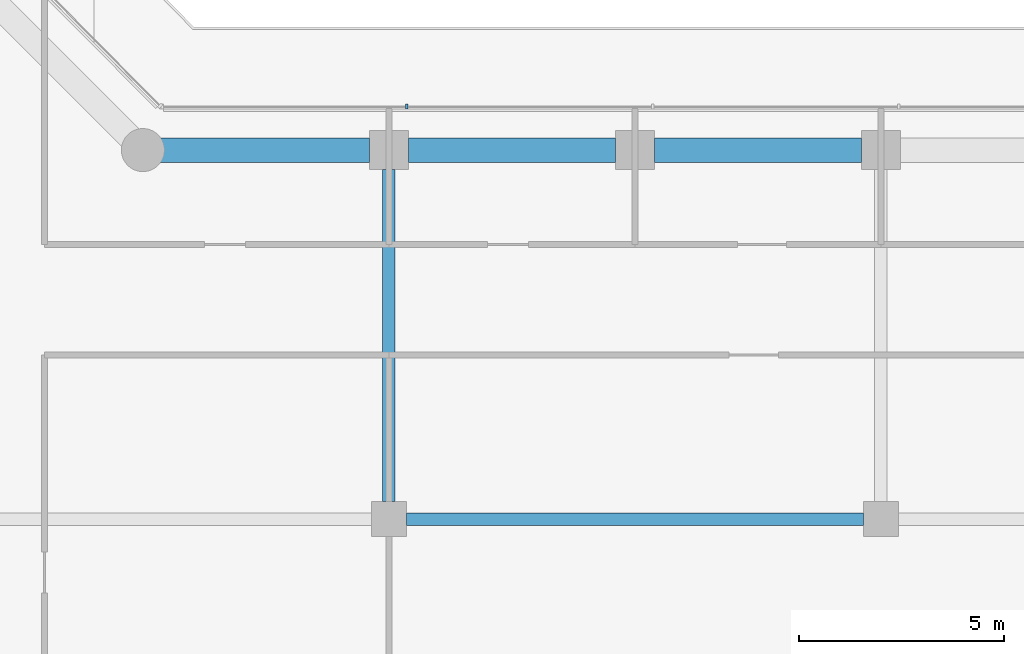
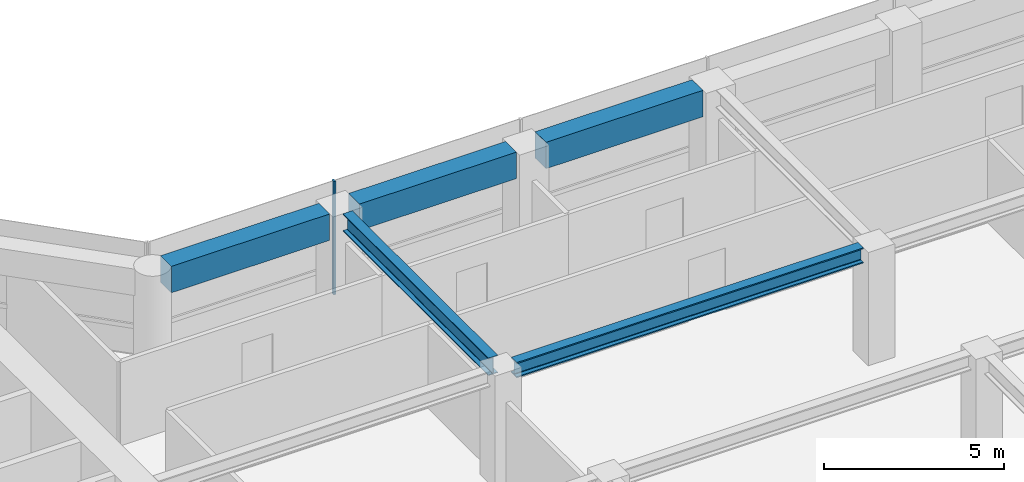
# One storey, part 9 of 29: 5 beams, 1 member, 1 element without a shape of its own.
"""IFC4 building model written with IfcOpenShell, lengths in metres."""

from ifc_helpers import new_model, si_unit, direction, frame, origin, origin_2d, place, context, subcontext, project, spatial, rectangle, i_section, extrude, material, layer, layer_set, material_profile, profile_set, type_object, element, aggregate, save


model = new_model("IFC4")

# Units and contexts
model_context = context("Model", 3, precision=1e-05, world=origin(), true_north=direction((0.0, 1.0)))
body_context = subcontext(model_context, "Body", "Model", "MODEL_VIEW")
ifc_project = project(units=[si_unit("LENGTHUNIT", "METRE"), si_unit("AREAUNIT", "SQUARE_METRE"), si_unit("VOLUMEUNIT", "CUBIC_METRE"), si_unit("PLANEANGLEUNIT", "RADIAN"), si_unit("MASSUNIT", "GRAM", prefix="KILO")], contexts=[model_context])

# Site, building, storey
site_placement = place(None, origin())
site = spatial("IfcSite", under=ifc_project, at=site_placement, CompositionType="ELEMENT")
building_placement = place(site_placement, origin())
building = spatial("IfcBuilding", under=site, at=building_placement, Name="Welwitschia Terrace Campus", CompositionType="ELEMENT")
storey_placement = place(building_placement, frame((0.0, 0.0, 50.0)))
storey = spatial("IfcBuildingStorey", under=building, at=storey_placement, Name="L11", CompositionType="ELEMENT", Elevation=50.0)

# Beam
ifc_material_1 = material(Name="Steel S355", Category="steel")
ifc_material_profile_1 = material_profile(ifc_material_1, i_section(OverallWidth=0.305908203125, OverallDepth=0.52392578125, WebThickness=0.02099609375, FlangeThickness=0.0400390625, FilletRadius=0.027099609375, at=origin_2d()))
ifc_profile_set_1 = profile_set([ifc_material_profile_1], Name="Steel S355")
beam_type_1 = type_object("IfcBeamType", Name="Interior girder HE 500 M", PredefinedType="BEAM", material=ifc_profile_set_1)
beam_1_placement = place(storey_placement, frame((36.425537109375, 11.0, 3.587890625), z_axis=(1.0, 0.0, 0.0), x_axis=(0.0, 1.0, 0.0)))
element("IfcBeam", 1, at=beam_1_placement, inside=storey, type_object=beam_type_1, Name="Girder GB2", PredefinedType="BEAM", context=body_context, shape_type="SweptSolid", body=[
    extrude(i_section(OverallWidth=0.305908203125, OverallDepth=0.52392578125, WebThickness=0.02099609375, FlangeThickness=0.0400390625, FilletRadius=0.027099609375, at=origin_2d()), origin(), (0.0, 0.0, 1.0), 11.14892578125),
])

# Curtain wall, member
ifc_material_2 = material(Name="Bronze anodised aluminium", Category="aluminium")
ifc_layer = layer(ifc_material_2, 0.1201171875)
ifc_layer_set = layer_set([ifc_layer], Name="Bronze anodised aluminium")
curtain_wall_type = type_object("IfcCurtainWallType", Name="Curtain wall CW2 tower 6000", PredefinedType="NOTDEFINED", material=ifc_layer_set)
curtain_wall_placement = place(storey_placement, origin())
curtain_wall = element("IfcCurtainWall", 2, at=curtain_wall_placement, inside=storey, type_object=curtain_wall_type, Name="CW L11.6.0", PredefinedType="NOTDEFINED")
ifc_material_3 = material(Name="Bronze anodised aluminium", Category="aluminium")
ifc_material_profile_2 = material_profile(ifc_material_3, rectangle(XDim=0.1201171875, YDim=0.06005859375, at=origin_2d()))
ifc_profile_set_2 = profile_set([ifc_material_profile_2], Name="Bronze anodised aluminium")
member_type = type_object("IfcMemberType", Name="Mullion 60x120", PredefinedType="MULLION", material=ifc_profile_set_2)
member_placement = place(storey_placement, frame((36.438232421875, 21.05810546875, 0.0), z_axis=(0.0, 0.0, 1.0), x_axis=(0.0, -1.0, 0.0)))
member = element("IfcMember", 3, at=member_placement, type_object=member_type, Name="Mullion L11.6.0.4", PredefinedType="MULLION", context=body_context, shape_type="SweptSolid", body=[
    extrude(rectangle(XDim=0.1201171875, YDim=0.06005859375, at=origin_2d()), origin(), (0.0, 0.0, 1.0), 3.85009765625),
])
aggregate(curtain_wall, [member])

# Beams
ifc_material_4 = material(Name="Steel S355", Category="steel")
ifc_material_profile_3 = material_profile(ifc_material_4, i_section(OverallWidth=0.300048828125, OverallDepth=0.60009765625, WebThickness=0.015380859375, FlangeThickness=0.030029296875, FilletRadius=0.027099609375, at=origin_2d()))
ifc_profile_set_3 = profile_set([ifc_material_profile_3], Name="Steel S355")
beam_type_2 = type_object("IfcBeamType", Name="Primary beam HE 600 B", PredefinedType="BEAM", material=ifc_profile_set_3)
beam_2_placement = place(storey_placement, frame((36.0, 19.5244140625, 3.550048828125), z_axis=(0.0, -1.0, 0.0), x_axis=(1.0, 0.0, 0.0)))
element("IfcBeam", 4, at=beam_2_placement, inside=storey, type_object=beam_type_2, Name="Primary beam PB2", PredefinedType="BEAM", context=body_context, shape_type="SweptSolid", body=[
    extrude(i_section(OverallWidth=0.300048828125, OverallDepth=0.60009765625, WebThickness=0.015380859375, FlangeThickness=0.030029296875, FilletRadius=0.027099609375, at=origin_2d()), origin(), (0.0, 0.0, 1.0), 8.098876953125),
])
ifc_material_5 = material(Name="Concrete C60/75", Category="concrete")
ifc_material_profile_4 = material_profile(ifc_material_5, rectangle(XDim=0.60009765625, YDim=0.89990234375, at=origin_2d()))
ifc_profile_set_4 = profile_set([ifc_material_profile_4], Name="Concrete C60/75")
beam_type_3 = type_object("IfcBeamType", Name="Ring spandrel 600x900", PredefinedType="SPANDREL", material=ifc_profile_set_4)
for number, where, z_axis, x_axis, name in (
    (5, (47.5244140625, 20.0, 3.39990234375), (-1.0, 0.0, 0.0), (0.0, -1.0, 0.0), "Spandrel SP2"),
    (6, (41.5244140625, 20.0, 3.39990234375), (-1.0, 0.0, 0.0), (0.0, -1.0, 0.0), "Spandrel SP2"),
):
    element("IfcBeam", number, at=place(storey_placement, frame(where, z_axis=z_axis, x_axis=x_axis)), inside=storey, type_object=beam_type_3, Name=name, PredefinedType="SPANDREL", context=body_context, shape_type="SweptSolid", body=[
        extrude(rectangle(XDim=0.60009765625, YDim=0.89990234375, at=origin_2d()), origin(), (0.0, 0.0, 1.0), 5.048828125),
    ])
beam_3_placement = place(storey_placement, frame((35.5244140625, 20.0, 3.39990234375), z_axis=(-1.0, 0.0, 0.0), x_axis=(0.0, -1.0, 0.0)))
element("IfcBeam", 7, at=beam_3_placement, inside=storey, type_object=beam_type_3, Name="Spandrel SP2", PredefinedType="SPANDREL", context=body_context, shape_type="SweptSolid", body=[
    extrude(rectangle(XDim=0.60009765625, YDim=0.89990234375, at=origin_2d()), origin(), (0.0, 0.0, 1.0), 5.093017578125),
])

save(model, "model.ifc")
